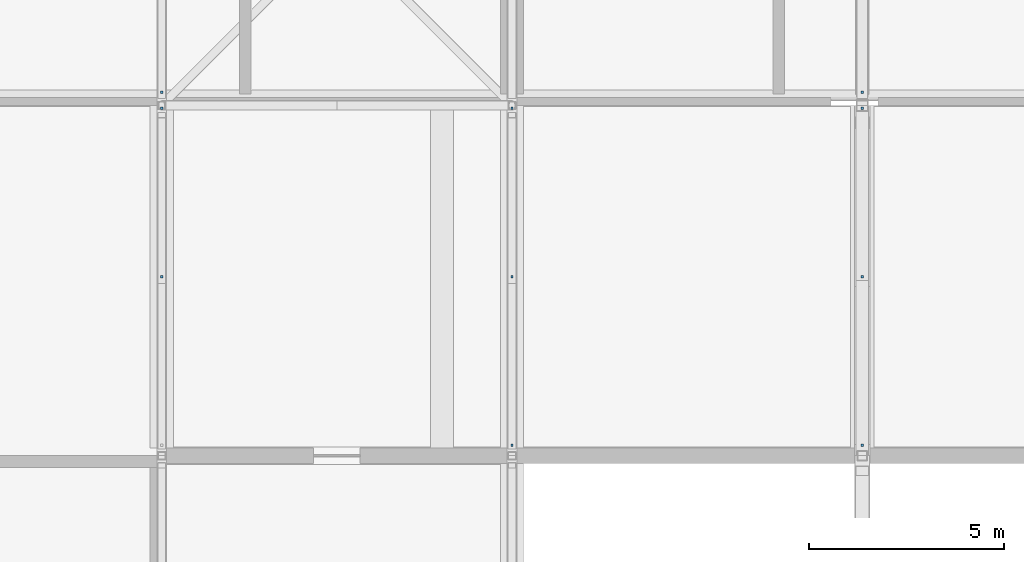
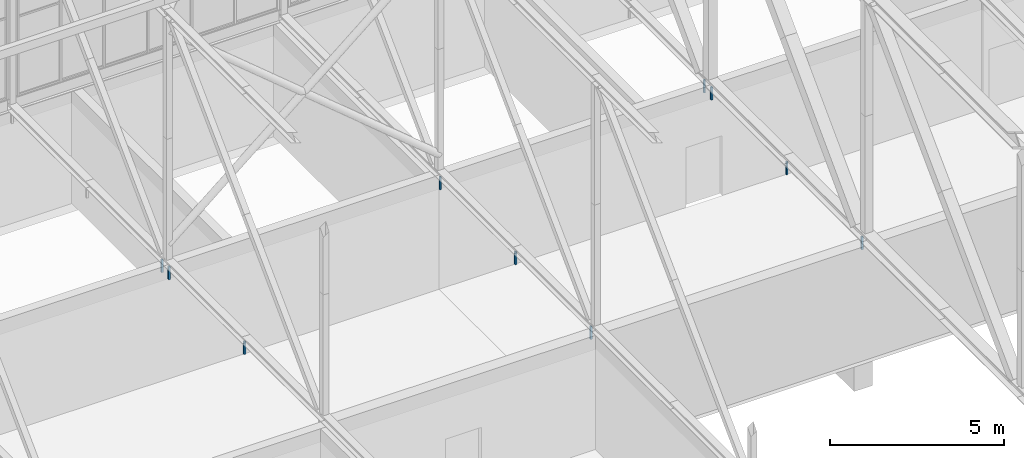
# One storey, part 204 of 646: 10 discrete accessories.
"""IFC4 building model written with IfcOpenShell, lengths in metres."""

from ifc_helpers import new_model, si_unit, direction, frame, origin, origin_2d, place, context, subcontext, project, spatial, rectangle, extrude, material, type_object, element, save


model = new_model("IFC4")

# Units and contexts
model_context = context("Model", 3, precision=1e-05, world=origin(), true_north=direction((0.0, 1.0)))
body_context = subcontext(model_context, "Body", "Model", "MODEL_VIEW")
ifc_project = project(units=[si_unit("LENGTHUNIT", "METRE"), si_unit("AREAUNIT", "SQUARE_METRE"), si_unit("VOLUMEUNIT", "CUBIC_METRE"), si_unit("PLANEANGLEUNIT", "RADIAN"), si_unit("MASSUNIT", "GRAM", prefix="KILO")], contexts=[model_context])

# Site, building, storey
site_placement = place(None, origin())
site = spatial("IfcSite", under=ifc_project, at=site_placement, CompositionType="ELEMENT")
building_placement = place(site_placement, origin())
building = spatial("IfcBuilding", under=site, at=building_placement, Name="Silverbay Arena", CompositionType="ELEMENT")
storey_placement = place(building_placement, frame((0.0, 0.0, 33.5)))
storey = spatial("IfcBuildingStorey", under=building, at=storey_placement, Name="L05", CompositionType="ELEMENT", Elevation=33.5)

# Discrete accessories
ifc_material = material(Name="Steel S355", Category="steel")
discrete_accessory_type = type_object("IfcDiscreteAccessoryType", Name="Ceiling hanger", PredefinedType="BRACKET", material=ifc_material)
for number, where, z_axis, x_axis, name in (
    (1, (90.0, 130.60009765625, 3.5498046875), (0.0, 0.0, 1.0), (1.0, 0.0, 0.0), "Ceiling hanger"),
    (2, (90.0, 134.929931640625, 3.5498046875), (0.0, 0.0, 1.0), (1.0, 0.0, 0.0), "Ceiling hanger"),
    (3, (99.0, 126.27001953125, 3.5498046875), (0.0, 0.0, 1.0), (1.0, 0.0, 0.0), "Ceiling hanger"),
    (4, (99.0, 130.60009765625, 3.5498046875), (0.0, 0.0, 1.0), (1.0, 0.0, 0.0), "Ceiling hanger"),
    (5, (99.0, 134.929931640625, 3.5498046875), (0.0, 0.0, 1.0), (1.0, 0.0, 0.0), "Ceiling hanger"),
    (6, (108.0, 126.27001953125, 3.5498046875), (0.0, 0.0, 1.0), (1.0, 0.0, 0.0), "Ceiling hanger"),
    (7, (108.0, 130.60009765625, 3.5498046875), (0.0, 0.0, 1.0), (1.0, 0.0, 0.0), "Ceiling hanger"),
    (8, (108.0, 134.929931640625, 3.5498046875), (0.0, 0.0, 1.0), (1.0, 0.0, 0.0), "Ceiling hanger"),
    (9, (90.0, 135.340087890625, 3.5498046875), (0.0, 0.0, 1.0), (1.0, 0.0, 0.0), "Ceiling hanger"),
    (10, (108.0, 135.340087890625, 3.5498046875), (0.0, 0.0, 1.0), (1.0, 0.0, 0.0), "Ceiling hanger"),
):
    element("IfcDiscreteAccessory", number, at=place(storey_placement, frame(where, z_axis=z_axis, x_axis=x_axis)), inside=storey, type_object=discrete_accessory_type, Name=name, PredefinedType="BRACKET", context=body_context, shape_type="SweptSolid", body=[
        extrude(rectangle(XDim=0.06005859375, YDim=0.06005859375, at=origin_2d()), origin(), (0.0, 0.0, 1.0), 0.449951171875),
    ])

save(model, "model.ifc")
